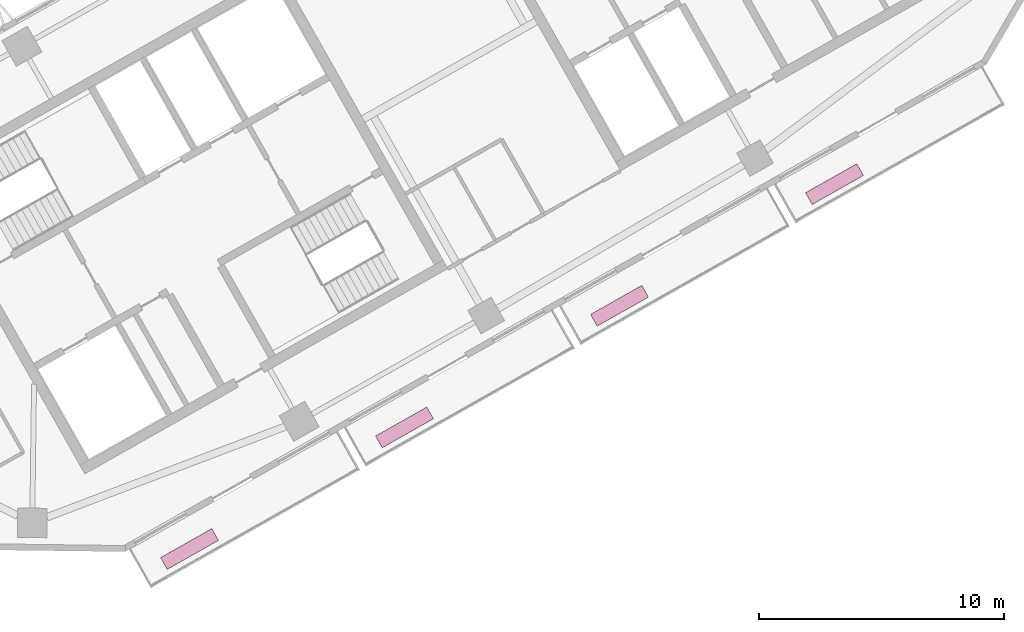
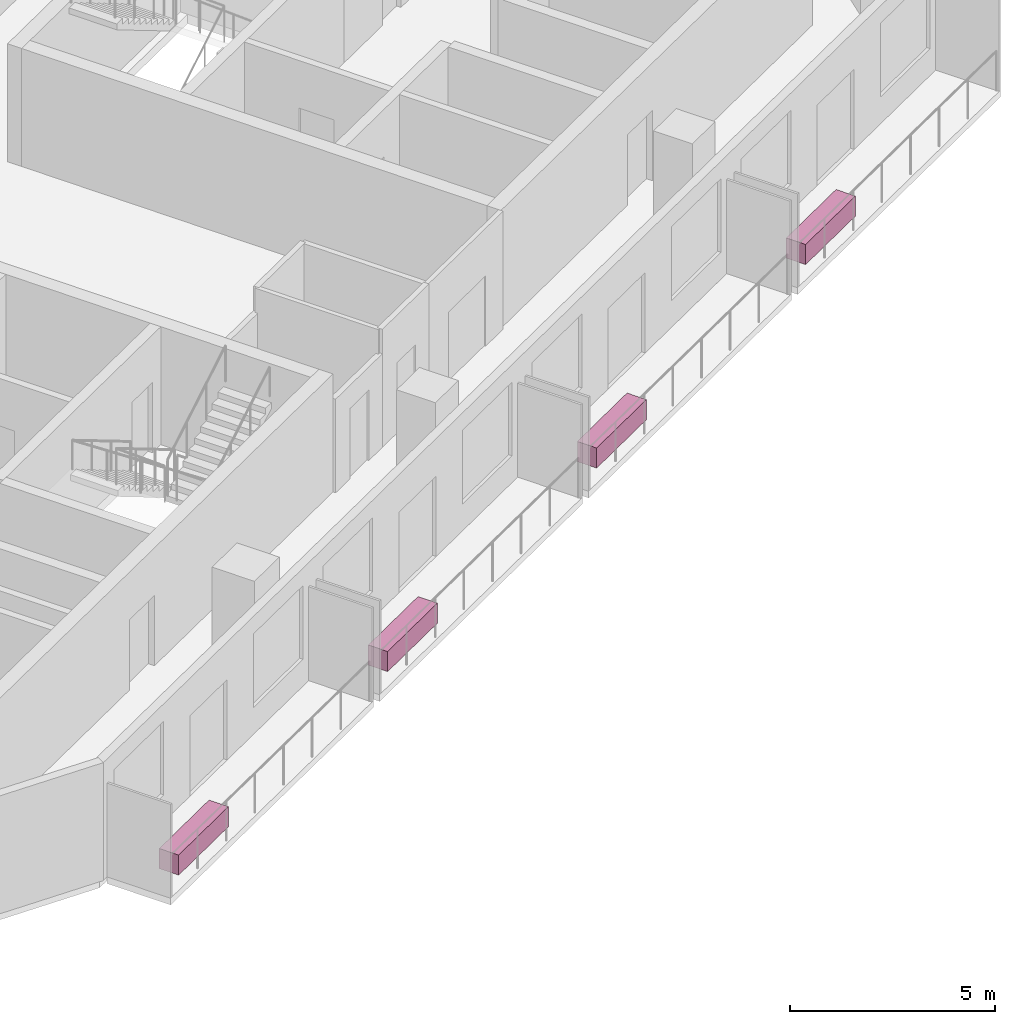
# One storey, part 8 of 8: 4 furnishings.
"""IFC4 building model written with IfcOpenShell, lengths in metres."""

from ifc_helpers import new_model, si_unit, direction, frame, origin, origin_2d, place, context, subcontext, project, spatial, rectangle, extrude, material, type_object, element, save


model = new_model("IFC4")

# Units and contexts
model_context = context("Model", 3, precision=1e-05, world=origin(), true_north=direction((0.0, 1.0)))
body_context = subcontext(model_context, "Body", "Model", "MODEL_VIEW")
ifc_project = project(units=[si_unit("LENGTHUNIT", "METRE"), si_unit("AREAUNIT", "SQUARE_METRE"), si_unit("VOLUMEUNIT", "CUBIC_METRE"), si_unit("PLANEANGLEUNIT", "RADIAN"), si_unit("MASSUNIT", "GRAM", prefix="KILO")], contexts=[model_context])

# Site, building, storey
site_placement = place(None, origin())
site = spatial("IfcSite", under=ifc_project, at=site_placement, CompositionType="ELEMENT")
building_placement = place(site_placement, origin())
building = spatial("IfcBuilding", under=site, at=building_placement, Name="Binnacle Exchange Tower", CompositionType="ELEMENT")
storey_placement = place(building_placement, frame((0.0, 0.0, 293.10009765625)))
storey = spatial("IfcBuildingStorey", under=building, at=storey_placement, Name="L65", CompositionType="ELEMENT", Elevation=293.10009765625)

# Furnishings
ifc_material = material(Name="Concrete C35/45", Category="concrete")
furnishing_element_type = type_object("IfcFurnishingElementType", Name="PLANTER 2400x550x600", material=ifc_material)
for number, where, z_axis, x_axis, name in (
    (1, (-35.44677734375, 26.428466796875, -0.000244140625), (0.0, 0.0, 1.0), (0.87035569594, 0.492423560103, 0.0), "Planter H07-B00a L65"),
    (2, (-26.683837890625, 31.38623046875, -0.000244140625), (0.0, 0.0, 1.0), (0.87035569594, 0.492423560103, 0.0), "Planter H07-B01a L65"),
    (3, (-17.9208984375, 36.34423828125, -0.000244140625), (0.0, 0.0, 1.0), (0.87035569594, 0.492423560103, 0.0), "Planter H07-B02a L65"),
    (4, (-9.158203125, 41.302001953125, -0.000244140625), (0.0, 0.0, 1.0), (0.87035569594, 0.492423560103, 0.0), "Planter H07-B03a L65"),
):
    element("IfcFurnishingElement", number, at=place(storey_placement, frame(where, z_axis=z_axis, x_axis=x_axis)), inside=storey, type_object=furnishing_element_type, Name=name, ObjectType="PLANTER", context=body_context, shape_type="SweptSolid", body=[
        extrude(rectangle(XDim=2.39990234375, YDim=0.550048828125, at=origin_2d()), origin(), (0.0, 0.0, 1.0), 0.60009765625),
    ])

save(model, "model.ifc")
